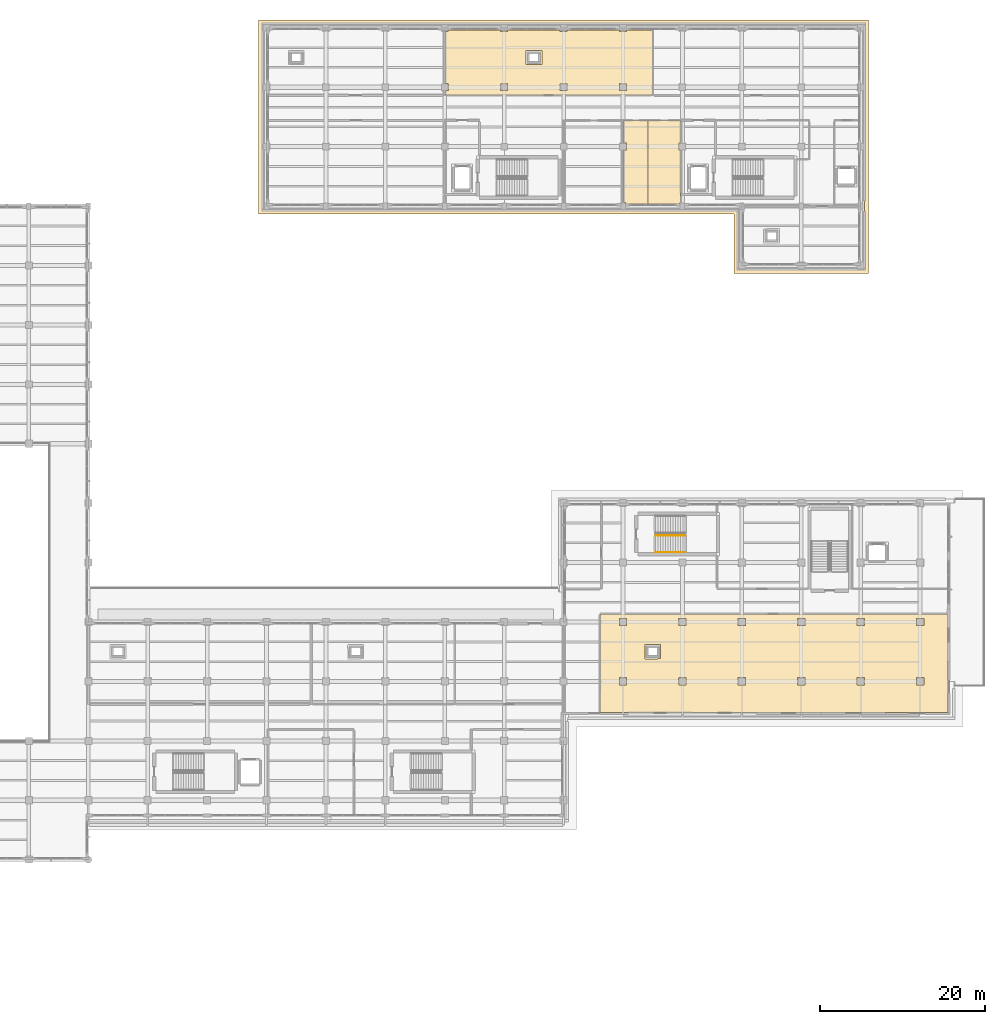
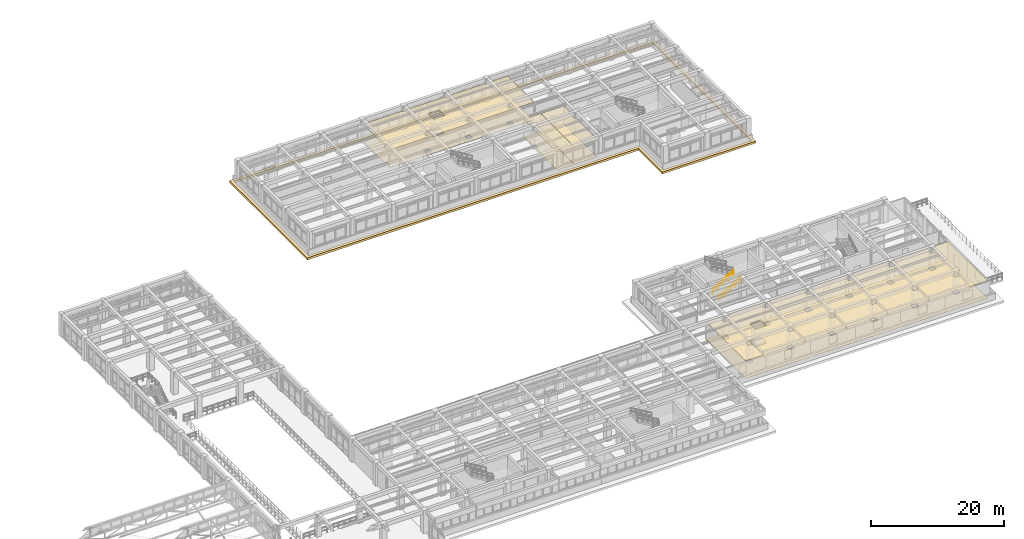
# One storey, part 96 of 98: 9 coverings, 2 railings.
"""IFC4 building model written with IfcOpenShell, lengths in metres."""

from ifc_helpers import new_model, si_unit, direction, frame, origin, origin_2d, place, context, subcontext, project, spatial, polyline, circle, outline, extrude, material, layer, layer_set, type_object, element, save


model = new_model("IFC4")

# Units and contexts
model_context = context("Model", 3, precision=1e-05, world=origin(), true_north=direction((0.0, 1.0)))
body_context = subcontext(model_context, "Body", "Model", "MODEL_VIEW")
ifc_project = project(units=[si_unit("LENGTHUNIT", "METRE"), si_unit("AREAUNIT", "SQUARE_METRE"), si_unit("VOLUMEUNIT", "CUBIC_METRE"), si_unit("PLANEANGLEUNIT", "RADIAN"), si_unit("MASSUNIT", "GRAM", prefix="KILO")], contexts=[model_context])

# Site, building, storey
site_placement = place(None, origin())
site = spatial("IfcSite", under=ifc_project, at=site_placement, CompositionType="ELEMENT")
building_placement = place(site_placement, origin())
building = spatial("IfcBuilding", under=site, at=building_placement, Name="Solenvale Faculty of Natural Sciences", CompositionType="ELEMENT")
storey_placement = place(building_placement, frame((0.0, 0.0, 9.0)))
storey = spatial("IfcBuildingStorey", under=building, at=storey_placement, Name="L02", CompositionType="ELEMENT", Elevation=9.0)

# Coverings
ifc_material_1 = material(Name="Acoustic mineral-timber ceiling", Category="wood")
ifc_layer_1 = layer(ifc_material_1, 0.02490234375)
ifc_layer_set_1 = layer_set([ifc_layer_1], Name="Acoustic mineral-timber ceiling")
covering_type_1 = type_object("IfcCoveringType", Name="COV-CEIL-AC25", PredefinedType="CEILING", material=ifc_layer_set_1)
covering_1_placement = place(storey_placement, frame((0.0, 0.0, 3.235107421875)))
element("IfcCovering", 1, at=covering_1_placement, inside=storey, type_object=covering_type_1, Name="L02 Faculty Staff Office Acoustic Ceiling", PredefinedType="CEILING", context=body_context, shape_type="SweptSolid", body=[
    extrude(outline(polyline([(107.544921875, 114.9599609375), (107.573974609375, 114.93603515625), (107.574951171875, 114.783935546875), (107.5859375, 114.77490234375), (108.4169921875, 114.77490234375), (108.426025390625, 114.93603515625), (108.455078125, 114.9599609375), (114.7451171875, 114.9599609375), (114.77392578125, 114.93603515625), (114.77490234375, 114.783935546875), (114.785888671875, 114.77490234375), (115.616943359375, 114.77490234375), (115.6259765625, 114.93603515625), (115.655029296875, 114.9599609375), (121.945068359375, 114.9599609375), (121.97412109375, 114.93603515625), (121.97509765625, 114.783935546875), (121.986083984375, 114.77490234375), (122.81689453125, 114.77490234375), (122.825927734375, 114.93603515625), (122.85498046875, 114.9599609375), (125.9609375, 114.9580078125), (125.97998046875, 114.929931640625), (125.97802734375, 107.05908203125), (125.949951171875, 107.0400390625), (100.85107421875, 107.047119140625), (100.840087890625, 107.070068359375), (100.844970703125, 107.56201171875), (100.866943359375, 107.574951171875), (101.22509765625, 107.58203125), (101.22509765625, 108.4140625), (101.214111328125, 108.425048828125), (100.866943359375, 108.425048828125), (100.840087890625, 108.451904296875), (100.846923828125, 114.763916015625), (100.8701171875, 114.77490234375), (101.219970703125, 114.77587890625), (101.22607421875, 114.93603515625), (101.2548828125, 114.9599609375), (107.544921875, 114.9599609375)]), holes=[polyline([(121.986083984375, 108.425048828125), (121.97509765625, 108.4140625), (121.97802734375, 107.577880859375), (122.822021484375, 107.577880859375), (122.822021484375, 108.422119140625), (121.986083984375, 108.425048828125)]), polyline([(115.625, 108.4140625), (115.614013671875, 108.425048828125), (114.778076171875, 108.422119140625), (114.778076171875, 107.577880859375), (115.6220703125, 107.577880859375), (115.625, 108.4140625)]), polyline([(112.531982421875, 110.739990234375), (112.552001953125, 110.75), (112.56005859375, 110.77001953125), (112.56005859375, 112.429931640625), (112.550048828125, 112.451904296875), (110.669921875, 112.4599609375), (110.64794921875, 112.449951171875), (110.639892578125, 110.77001953125), (110.64990234375, 110.748046875), (112.531982421875, 110.739990234375)]), polyline([(108.425048828125, 108.4140625), (108.4140625, 108.425048828125), (107.577880859375, 108.422119140625), (107.577880859375, 107.577880859375), (108.422119140625, 107.577880859375), (108.425048828125, 108.4140625)])]), origin(), (0.0, 0.0, 1.0), 0.02490234375),
])
covering_2_placement = place(storey_placement, frame((0.0, 0.0, 3.235107421875)))
element("IfcCovering", 2, at=covering_2_placement, inside=storey, type_object=covering_type_1, Name="L02 Accessible Washroom Acoustic Ceiling", PredefinedType="CEILING", context=body_context, shape_type="SweptSolid", body=[
    extrude(outline(polyline([(125.35009765625, 103.9599609375), (125.37109375, 103.950927734375), (125.3798828125, 103.929931640625), (125.37890625, 93.861083984375), (125.35009765625, 93.840087890625), (122.720947265625, 93.841064453125), (122.699951171875, 93.866943359375), (122.696044921875, 94.02294921875), (122.467041015625, 94.02490234375), (122.43994140625, 94.054931640625), (122.43994140625, 100.344970703125), (122.467041015625, 100.375), (122.823974609375, 100.381103515625), (122.824951171875, 101.214111328125), (122.81396484375, 101.22509765625), (122.467041015625, 101.22509765625), (122.43994140625, 101.251953125), (122.44091796875, 103.93896484375), (122.469970703125, 103.9599609375), (125.35009765625, 103.9599609375)])), origin(), (0.0, 0.0, 1.0), 0.02490234375),
])
covering_3_placement = place(storey_placement, frame((0.0, 0.0, 3.235107421875)))
element("IfcCovering", 3, at=covering_3_placement, inside=storey, type_object=covering_type_1, Name="L02 Instrument Preparation Room Acoustic Ceiling", PredefinedType="CEILING", context=body_context, shape_type="SweptSolid", body=[
    extrude(outline(polyline([(129.330078125, 103.9599609375), (129.35107421875, 103.950927734375), (129.360107421875, 103.929931640625), (129.360107421875, 101.2548828125), (129.3359375, 101.22607421875), (129.175048828125, 101.217041015625), (129.175048828125, 100.385986328125), (129.18408203125, 100.375), (129.3359375, 100.3740234375), (129.360107421875, 100.344970703125), (129.360107421875, 95.0), (129.3798828125, 94.950927734375), (129.3779296875, 94.0439453125), (129.35888671875, 94.02587890625), (129.301025390625, 94.02001953125), (129.299072265625, 93.864013671875), (129.27294921875, 93.840087890625), (125.458984375, 93.842041015625), (125.43994140625, 93.8701171875), (125.44189453125, 103.94091796875), (125.469970703125, 103.9599609375), (129.330078125, 103.9599609375)])), origin(), (0.0, 0.0, 1.0), 0.02490234375),
])
ifc_material_2 = material(Name="Oak slatted acoustic timber ceiling", Category="wood")
ifc_layer_2 = layer(ifc_material_2, 0.034912109375)
ifc_layer_set_2 = layer_set([ifc_layer_2], Name="Oak slatted acoustic timber ceiling")
covering_type_2 = type_object("IfcCoveringType", Name="COV-CEIL-WD35", PredefinedType="CEILING", material=ifc_layer_set_2)
covering_4_placement = place(storey_placement, frame((0.0, 0.0, 3.22509765625)))
element("IfcCovering", 4, at=covering_4_placement, inside=storey, type_object=covering_type_2, Name="L02 Learning Commons South Reading Hall Acoustic Ceiling", PredefinedType="CEILING", context=body_context, shape_type="SweptSolid", body=[
    extrude(outline(polyline([(161.760009765625, 32.27001953125), (161.7509765625, 32.2490234375), (161.72998046875, 32.239990234375), (119.660888671875, 32.240966796875), (119.639892578125, 32.27001953125), (119.64111328125, 44.138916015625), (119.669921875, 44.159912109375), (161.739013671875, 44.158935546875), (161.760009765625, 44.1298828125), (161.760009765625, 32.27001953125)]), holes=[polyline([(157.9609375, 36.449951171875), (157.949951171875, 36.43896484375), (157.952880859375, 35.552978515625), (158.846923828125, 35.552978515625), (158.846923828125, 36.447021484375), (157.9609375, 36.449951171875)]), polyline([(157.9609375, 43.64990234375), (157.949951171875, 43.638916015625), (157.952880859375, 42.7529296875), (158.846923828125, 42.7529296875), (158.846923828125, 43.64697265625), (157.9609375, 43.64990234375)]), polyline([(150.760986328125, 43.64990234375), (150.75, 43.638916015625), (150.7529296875, 42.7529296875), (151.64697265625, 42.7529296875), (151.64697265625, 43.64697265625), (150.760986328125, 43.64990234375)]), polyline([(151.64990234375, 36.43896484375), (151.638916015625, 36.449951171875), (150.7529296875, 36.447021484375), (150.7529296875, 35.552978515625), (151.64697265625, 35.552978515625), (151.64990234375, 36.43896484375)]), polyline([(143.56103515625, 43.64990234375), (143.550048828125, 43.638916015625), (143.552978515625, 42.7529296875), (144.447021484375, 42.7529296875), (144.447021484375, 43.64697265625), (143.56103515625, 43.64990234375)]), polyline([(144.449951171875, 36.43896484375), (144.43896484375, 36.449951171875), (143.552978515625, 36.447021484375), (143.552978515625, 35.552978515625), (144.447021484375, 35.552978515625), (144.449951171875, 36.43896484375)]), polyline([(136.361083984375, 43.64990234375), (136.35009765625, 43.638916015625), (136.35302734375, 42.7529296875), (137.2470703125, 42.7529296875), (137.2470703125, 43.64697265625), (136.361083984375, 43.64990234375)]), polyline([(137.25, 36.43896484375), (137.239013671875, 36.449951171875), (136.35302734375, 36.447021484375), (136.35302734375, 35.552978515625), (137.2470703125, 35.552978515625), (137.25, 36.43896484375)]), polyline([(129.160888671875, 36.449951171875), (129.14990234375, 36.43896484375), (129.153076171875, 35.552978515625), (130.047119140625, 35.552978515625), (130.047119140625, 36.447021484375), (129.160888671875, 36.449951171875)]), polyline([(129.160888671875, 43.64990234375), (129.14990234375, 43.638916015625), (129.153076171875, 42.7529296875), (130.047119140625, 42.7529296875), (130.047119140625, 43.64697265625), (129.160888671875, 43.64990234375)]), polyline([(126.9599609375, 40.431884765625), (126.949951171875, 40.451904296875), (126.929931640625, 40.4599609375), (125.050048828125, 40.451904296875), (125.0400390625, 40.429931640625), (125.048095703125, 38.75), (125.070068359375, 38.739990234375), (126.949951171875, 38.748046875), (126.9599609375, 38.77001953125), (126.9599609375, 40.431884765625)]), polyline([(122.85009765625, 36.43896484375), (122.839111328125, 36.449951171875), (121.952880859375, 36.447021484375), (121.952880859375, 35.552978515625), (122.846923828125, 35.552978515625), (122.85009765625, 36.43896484375)]), polyline([(122.85009765625, 43.638916015625), (122.839111328125, 43.64990234375), (121.952880859375, 43.64697265625), (121.952880859375, 42.7529296875), (122.846923828125, 42.7529296875), (122.85009765625, 43.638916015625)])]), origin(), (0.0, 0.0, 1.0), 0.034912109375),
])
ifc_material_3 = material(Name="Polished slate terrazzo flooring", Category="masonry")
ifc_layer_3 = layer(ifc_material_3, 0.01806640625)
ifc_layer_set_3 = layer_set([ifc_layer_3], Name="Polished slate terrazzo flooring")
covering_type_3 = type_object("IfcCoveringType", Name="COV-FLR-TRZ18", PredefinedType="FLOORING", material=ifc_layer_set_3)
covering_5_placement = place(storey_placement, origin())
element("IfcCovering", 5, at=covering_5_placement, inside=storey, type_object=covering_type_3, Name="L02 Learning Commons South Reading Hall Floor Finish", PredefinedType="FLOORING", context=body_context, shape_type="SweptSolid", body=[
    extrude(outline(polyline([(161.760009765625, 32.27001953125), (161.7509765625, 32.2490234375), (161.72998046875, 32.239990234375), (119.660888671875, 32.240966796875), (119.639892578125, 32.27001953125), (119.64111328125, 44.138916015625), (119.669921875, 44.159912109375), (161.739013671875, 44.158935546875), (161.760009765625, 44.1298828125), (161.760009765625, 32.27001953125)]), holes=[polyline([(157.9609375, 36.449951171875), (157.949951171875, 36.43896484375), (157.952880859375, 35.552978515625), (158.846923828125, 35.552978515625), (158.846923828125, 36.447021484375), (157.9609375, 36.449951171875)]), polyline([(157.9609375, 43.64990234375), (157.949951171875, 43.638916015625), (157.952880859375, 42.7529296875), (158.846923828125, 42.7529296875), (158.846923828125, 43.64697265625), (157.9609375, 43.64990234375)]), polyline([(150.760986328125, 43.64990234375), (150.75, 43.638916015625), (150.7529296875, 42.7529296875), (151.64697265625, 42.7529296875), (151.64697265625, 43.64697265625), (150.760986328125, 43.64990234375)]), polyline([(151.64990234375, 36.43896484375), (151.638916015625, 36.449951171875), (150.7529296875, 36.447021484375), (150.7529296875, 35.552978515625), (151.64697265625, 35.552978515625), (151.64990234375, 36.43896484375)]), polyline([(143.56103515625, 43.64990234375), (143.550048828125, 43.638916015625), (143.552978515625, 42.7529296875), (144.447021484375, 42.7529296875), (144.447021484375, 43.64697265625), (143.56103515625, 43.64990234375)]), polyline([(144.449951171875, 36.43896484375), (144.43896484375, 36.449951171875), (143.552978515625, 36.447021484375), (143.552978515625, 35.552978515625), (144.447021484375, 35.552978515625), (144.449951171875, 36.43896484375)]), polyline([(136.361083984375, 43.64990234375), (136.35009765625, 43.638916015625), (136.35302734375, 42.7529296875), (137.2470703125, 42.7529296875), (137.2470703125, 43.64697265625), (136.361083984375, 43.64990234375)]), polyline([(137.25, 36.43896484375), (137.239013671875, 36.449951171875), (136.35302734375, 36.447021484375), (136.35302734375, 35.552978515625), (137.2470703125, 35.552978515625), (137.25, 36.43896484375)]), polyline([(129.160888671875, 36.449951171875), (129.14990234375, 36.43896484375), (129.153076171875, 35.552978515625), (130.047119140625, 35.552978515625), (130.047119140625, 36.447021484375), (129.160888671875, 36.449951171875)]), polyline([(129.160888671875, 43.64990234375), (129.14990234375, 43.638916015625), (129.153076171875, 42.7529296875), (130.047119140625, 42.7529296875), (130.047119140625, 43.64697265625), (129.160888671875, 43.64990234375)]), polyline([(126.9599609375, 40.431884765625), (126.949951171875, 40.451904296875), (126.929931640625, 40.4599609375), (125.050048828125, 40.451904296875), (125.0400390625, 40.429931640625), (125.048095703125, 38.75), (125.070068359375, 38.739990234375), (126.949951171875, 38.748046875), (126.9599609375, 38.77001953125), (126.9599609375, 40.431884765625)]), polyline([(122.85009765625, 36.43896484375), (122.839111328125, 36.449951171875), (121.952880859375, 36.447021484375), (121.952880859375, 35.552978515625), (122.846923828125, 35.552978515625), (122.85009765625, 36.43896484375)]), polyline([(122.85009765625, 43.638916015625), (122.839111328125, 43.64990234375), (121.952880859375, 43.64697265625), (121.952880859375, 42.7529296875), (122.846923828125, 42.7529296875), (122.85009765625, 43.638916015625)])]), origin(), (0.0, 0.0, 1.0), 0.01806640625),
])
covering_6_placement = place(storey_placement, origin())
element("IfcCovering", 6, at=covering_6_placement, inside=storey, type_object=covering_type_3, Name="L02 Faculty Staff Office Floor Finish", PredefinedType="FLOORING", context=body_context, shape_type="SweptSolid", body=[
    extrude(outline(polyline([(107.544921875, 114.9599609375), (107.573974609375, 114.93603515625), (107.574951171875, 114.783935546875), (107.5859375, 114.77490234375), (108.4169921875, 114.77490234375), (108.426025390625, 114.93603515625), (108.455078125, 114.9599609375), (114.7451171875, 114.9599609375), (114.77392578125, 114.93603515625), (114.77490234375, 114.783935546875), (114.785888671875, 114.77490234375), (115.616943359375, 114.77490234375), (115.6259765625, 114.93603515625), (115.655029296875, 114.9599609375), (121.945068359375, 114.9599609375), (121.97412109375, 114.93603515625), (121.97509765625, 114.783935546875), (121.986083984375, 114.77490234375), (122.81689453125, 114.77490234375), (122.825927734375, 114.93603515625), (122.85498046875, 114.9599609375), (125.9609375, 114.9580078125), (125.97998046875, 114.929931640625), (125.97802734375, 107.05908203125), (125.949951171875, 107.0400390625), (100.85107421875, 107.047119140625), (100.840087890625, 107.070068359375), (100.844970703125, 107.56201171875), (100.866943359375, 107.574951171875), (101.22509765625, 107.58203125), (101.22509765625, 108.4140625), (101.214111328125, 108.425048828125), (100.866943359375, 108.425048828125), (100.840087890625, 108.451904296875), (100.846923828125, 114.763916015625), (100.8701171875, 114.77490234375), (101.219970703125, 114.77587890625), (101.22607421875, 114.93603515625), (101.2548828125, 114.9599609375), (107.544921875, 114.9599609375)]), holes=[polyline([(121.986083984375, 108.425048828125), (121.97509765625, 108.4140625), (121.97802734375, 107.577880859375), (122.822021484375, 107.577880859375), (122.822021484375, 108.422119140625), (121.986083984375, 108.425048828125)]), polyline([(115.625, 108.4140625), (115.614013671875, 108.425048828125), (114.778076171875, 108.422119140625), (114.778076171875, 107.577880859375), (115.6220703125, 107.577880859375), (115.625, 108.4140625)]), polyline([(112.531982421875, 110.739990234375), (112.552001953125, 110.75), (112.56005859375, 110.77001953125), (112.56005859375, 112.429931640625), (112.550048828125, 112.451904296875), (110.669921875, 112.4599609375), (110.64794921875, 112.449951171875), (110.639892578125, 110.77001953125), (110.64990234375, 110.748046875), (112.531982421875, 110.739990234375)]), polyline([(108.425048828125, 108.4140625), (108.4140625, 108.425048828125), (107.577880859375, 108.422119140625), (107.577880859375, 107.577880859375), (108.422119140625, 107.577880859375), (108.425048828125, 108.4140625)])]), origin(), (0.0, 0.0, 1.0), 0.01806640625),
])
covering_7_placement = place(storey_placement, origin())
element("IfcCovering", 7, at=covering_7_placement, inside=storey, type_object=covering_type_3, Name="L02 Accessible Washroom Floor Finish", PredefinedType="FLOORING", context=body_context, shape_type="SweptSolid", body=[
    extrude(outline(polyline([(125.35009765625, 103.9599609375), (125.37109375, 103.950927734375), (125.3798828125, 103.929931640625), (125.37890625, 93.861083984375), (125.35009765625, 93.840087890625), (122.720947265625, 93.841064453125), (122.699951171875, 93.866943359375), (122.696044921875, 94.02294921875), (122.467041015625, 94.02490234375), (122.43994140625, 94.054931640625), (122.43994140625, 100.344970703125), (122.467041015625, 100.375), (122.823974609375, 100.381103515625), (122.824951171875, 101.214111328125), (122.81396484375, 101.22509765625), (122.467041015625, 101.22509765625), (122.43994140625, 101.251953125), (122.44091796875, 103.93896484375), (122.469970703125, 103.9599609375), (125.35009765625, 103.9599609375)])), origin(), (0.0, 0.0, 1.0), 0.01806640625),
])
covering_8_placement = place(storey_placement, origin())
element("IfcCovering", 8, at=covering_8_placement, inside=storey, type_object=covering_type_3, Name="L02 Instrument Preparation Room Floor Finish", PredefinedType="FLOORING", context=body_context, shape_type="SweptSolid", body=[
    extrude(outline(polyline([(129.330078125, 103.9599609375), (129.35107421875, 103.950927734375), (129.360107421875, 103.929931640625), (129.360107421875, 101.2548828125), (129.3359375, 101.22607421875), (129.175048828125, 101.217041015625), (129.175048828125, 100.385986328125), (129.18408203125, 100.375), (129.3359375, 100.3740234375), (129.360107421875, 100.344970703125), (129.360107421875, 95.0), (129.3798828125, 94.950927734375), (129.3779296875, 94.0439453125), (129.35888671875, 94.02587890625), (129.301025390625, 94.02001953125), (129.299072265625, 93.864013671875), (129.27294921875, 93.840087890625), (125.458984375, 93.842041015625), (125.43994140625, 93.8701171875), (125.44189453125, 103.94091796875), (125.469970703125, 103.9599609375), (129.330078125, 103.9599609375)])), origin(), (0.0, 0.0, 1.0), 0.01806640625),
])
ifc_material_4 = material(Name="Insulated EPDM roofing membrane")
ifc_layer_4 = layer(ifc_material_4, 0.06494140625)
ifc_layer_set_4 = layer_set([ifc_layer_4], Name="Insulated EPDM roofing membrane")
covering_type_4 = type_object("IfcCoveringType", Name="COV-ROOF-MEMB", PredefinedType="ROOFING", material=ifc_layer_set_4)
covering_9_placement = place(storey_placement, frame((0.0, 0.0, -0.340087890625)))
element("IfcCovering", 9, at=covering_9_placement, inside=storey, type_object=covering_type_4, Name="L02 Projecting Horizontal Bronze Concrete Tray Ledge 2", PredefinedType="CLADDING", context=body_context, shape_type="SweptSolid", body=[
    extrude(outline(polyline([(78.25, 116.1298828125), (78.256103515625, 116.14404296875), (78.27001953125, 116.14990234375), (152.137939453125, 116.14794921875), (152.14990234375, 116.1298828125), (152.14794921875, 85.4619140625), (152.1298828125, 85.449951171875), (135.862060546875, 85.451904296875), (135.85009765625, 85.469970703125), (135.85009765625, 92.64990234375), (78.261962890625, 92.652099609375), (78.25, 92.669921875), (78.25, 116.1298828125)]), holes=[polyline([(78.719970703125, 93.1201171875), (136.302001953125, 93.1201171875), (136.31396484375, 93.114013671875), (136.320068359375, 93.10009765625), (136.320068359375, 85.919921875), (151.679931640625, 85.919921875), (151.679931640625, 115.679931640625), (78.719970703125, 115.679931640625), (78.719970703125, 93.1201171875)])]), origin(), (0.0, 0.0, 1.0), 0.380126953125),
])

# Railings
ifc_material_5 = material(Name="Stainless steel Grade 304", Category="steel")
railing_type_1 = type_object("IfcRailingType", Name="RL-GRD-1100", PredefinedType="GUARDRAIL", material=ifc_material_5)
railing_1_placement = place(storey_placement, frame((126.340087890625, 53.699951171875, 0.173095703125)))
element("IfcRailing", 10, at=railing_1_placement, inside=storey, type_object=railing_type_1, Name="L02 ST-08 stair guard 1", PredefinedType="GUARDRAIL", context=body_context, shape_type="SweptSolid", body=[
    extrude(circle(Radius=0.02392578125, at=origin_2d()), frame((0.0, 0.0, 1.09619140625), z_axis=(0.866178740119, 0.0, 0.499734319579), x_axis=(0.0, 1.0, 0.0)), (0.0, 0.0, 1.0), 4.156005859375),
    extrude(circle(Radius=0.01611328125, at=origin_2d()), frame((0.0, 0.0, 0.56005859375), z_axis=(0.866178740119, 0.0, 0.499734319579), x_axis=(0.0, 1.0, 0.0)), (0.0, 0.0, 1.0), 4.156005859375),
    extrude(circle(Radius=0.02099609375, at=origin_2d()), origin(), (0.0, 0.0, 1.0), 1.072021484375),
    extrude(circle(Radius=0.02099609375, at=origin_2d()), frame((0.89990234375, 0.0, 0.519287109375)), (0.0, 0.0, 1.0), 1.072021484375),
    extrude(circle(Radius=0.02099609375, at=origin_2d()), frame((1.7998046875, 0.0, 1.03857421875)), (0.0, 0.0, 1.0), 1.072021484375),
    extrude(circle(Radius=0.02099609375, at=origin_2d()), frame((2.699951171875, 0.0, 1.5576171875)), (0.0, 0.0, 1.0), 1.072021484375),
    extrude(circle(Radius=0.02099609375, at=origin_2d()), frame((3.599853515625, 0.0, 2.076904296875)), (0.0, 0.0, 1.0), 1.072021484375),
])
railing_type_2 = type_object("IfcRailingType", Name="RL-HND-900", PredefinedType="HANDRAIL", material=ifc_material_5)
railing_2_placement = place(storey_placement, frame((126.340087890625, 51.64990234375, 0.173095703125)))
element("IfcRailing", 11, at=railing_2_placement, inside=storey, type_object=railing_type_2, Name="L02 ST-08 stair handrail 1", PredefinedType="HANDRAIL", context=body_context, shape_type="SweptSolid", body=[
    extrude(circle(Radius=0.02392578125, at=origin_2d()), frame((0.0, 0.0, 1.0732421875), z_axis=(0.866178740119, 0.0, 0.499734319579), x_axis=(0.0, 1.0, 0.0)), (0.0, 0.0, 1.0), 4.156005859375),
    extrude(circle(Radius=0.01611328125, at=origin_2d()), frame((0.0, 0.0, 0.548583984375), z_axis=(0.866178740119, 0.0, 0.499734319579), x_axis=(0.0, 1.0, 0.0)), (0.0, 0.0, 1.0), 4.156005859375),
    extrude(circle(Radius=0.02099609375, at=origin_2d()), origin(), (0.0, 0.0, 1.0), 1.049072265625),
    extrude(circle(Radius=0.02099609375, at=origin_2d()), frame((0.89990234375, 0.0, 0.519287109375)), (0.0, 0.0, 1.0), 1.049072265625),
    extrude(circle(Radius=0.02099609375, at=origin_2d()), frame((1.7998046875, 0.0, 1.03857421875)), (0.0, 0.0, 1.0), 1.049072265625),
    extrude(circle(Radius=0.02099609375, at=origin_2d()), frame((2.699951171875, 0.0, 1.5576171875)), (0.0, 0.0, 1.0), 1.049072265625),
    extrude(circle(Radius=0.02099609375, at=origin_2d()), frame((3.599853515625, 0.0, 2.076904296875)), (0.0, 0.0, 1.0), 1.049072265625),
])

save(model, "model.ifc")
